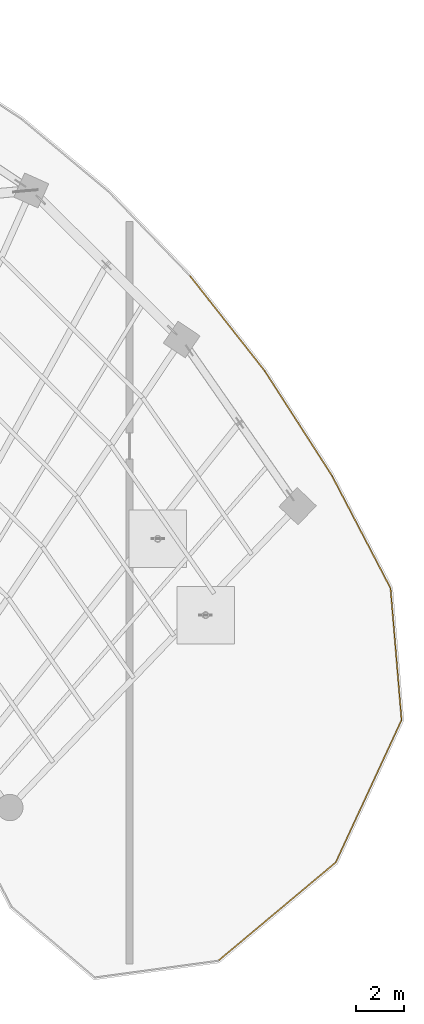
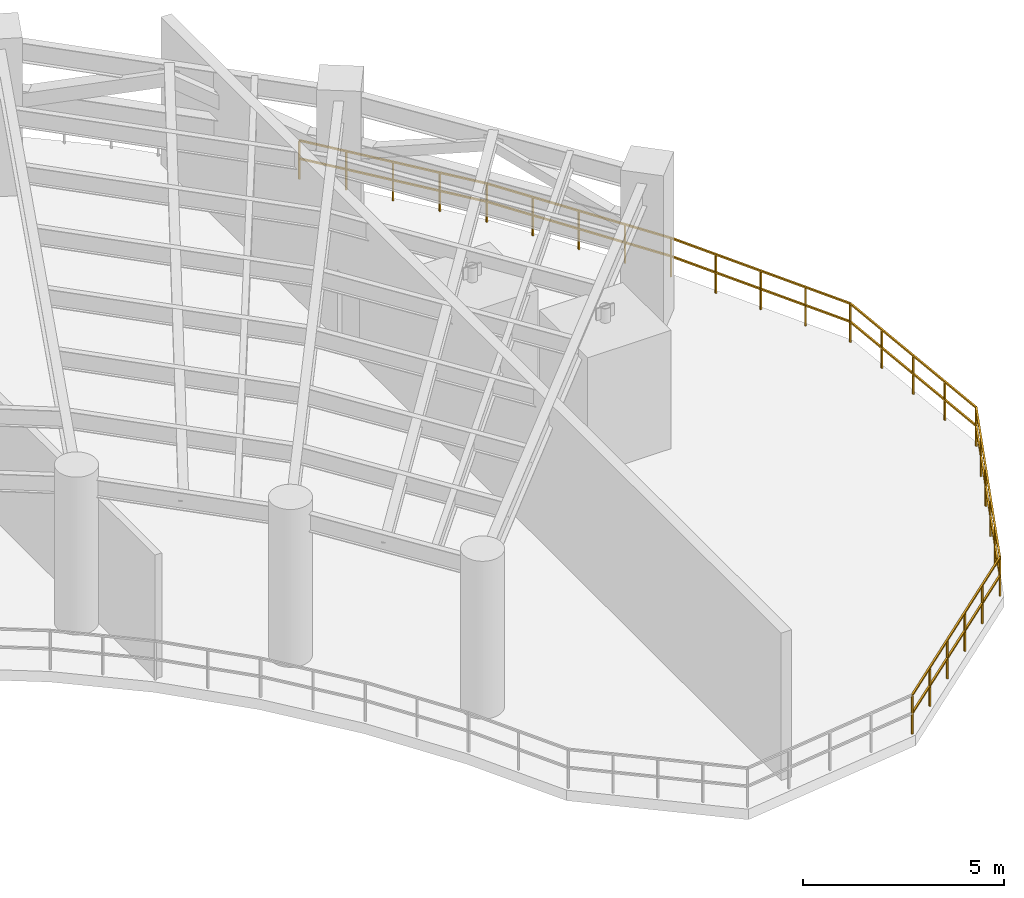
# One storey, part 23 of 24: 6 railings.
"""IFC4 building model written with IfcOpenShell, lengths in metres."""

from ifc_helpers import new_model, si_unit, direction, frame, origin, origin_2d, place, context, subcontext, project, spatial, rectangle, extrude, material, type_object, element, save


model = new_model("IFC4")

# Units and contexts
model_context = context("Model", 3, precision=1e-05, world=origin(), true_north=direction((0.0, 1.0)))
body_context = subcontext(model_context, "Body", "Model", "MODEL_VIEW")
ifc_project = project(units=[si_unit("LENGTHUNIT", "METRE"), si_unit("AREAUNIT", "SQUARE_METRE"), si_unit("VOLUMEUNIT", "CUBIC_METRE"), si_unit("PLANEANGLEUNIT", "RADIAN"), si_unit("MASSUNIT", "GRAM", prefix="KILO")], contexts=[model_context])

# Site, building, storey
site_placement = place(None, origin())
site = spatial("IfcSite", under=ifc_project, at=site_placement, CompositionType="ELEMENT")
building_placement = place(site_placement, origin())
building = spatial("IfcBuilding", under=site, at=building_placement, Name="Breltana Convention Tower", CompositionType="ELEMENT")
storey_placement = place(building_placement, frame((0.0, 0.0, 189.60009765625)))
storey = spatial("IfcBuildingStorey", under=building, at=storey_placement, Name="L46", CompositionType="ELEMENT", Elevation=189.60009765625)

# Railings
ifc_material = material(Name="Stainless Steel 316L", Category="steel")
railing_type = type_object("IfcRailingType", Name="RL-WIND-GUARD-1200", PredefinedType="BALUSTRADE", material=ifc_material)
railing_1_placement = place(storey_placement, frame((83.859130859375, 52.07958984375, 0.0)))
element("IfcRailing", 1, at=railing_1_placement, inside=storey, type_object=railing_type, Name="L46 perimeter balustrade 1", PredefinedType="BALUSTRADE", context=body_context, shape_type="SweptSolid", body=[
    extrude(rectangle(XDim=0.048095703125, YDim=0.048095703125, at=origin_2d()), frame((0.0, 0.0, 1.17578125), z_axis=(0.08330244177, -0.996524311392, 0.0), x_axis=(0.996524311392, 0.08330244177, 0.0)), (0.0, 0.0, 1.0), 5.50390625),
    extrude(rectangle(XDim=0.048095703125, YDim=0.048095703125, at=origin_2d()), frame((0.0, 0.0, 0.6240234375), z_axis=(0.08330244177, -0.996524311392, 0.0), x_axis=(0.996524311392, 0.08330244177, 0.0)), (0.0, 0.0, 1.0), 5.50390625),
    extrude(rectangle(XDim=0.0419921875, YDim=0.0419921875, at=origin_2d()), origin(), (0.0, 0.0, 1.0), 1.15185546875),
    extrude(rectangle(XDim=0.0419921875, YDim=0.0419921875, at=origin_2d()), frame((0.11474609375, -1.37109375, 0.0)), (0.0, 0.0, 1.0), 1.15185546875),
    extrude(rectangle(XDim=0.0419921875, YDim=0.0419921875, at=origin_2d()), frame((0.229248046875, -2.742431640625, 0.0)), (0.0, 0.0, 1.0), 1.15185546875),
    extrude(rectangle(XDim=0.0419921875, YDim=0.0419921875, at=origin_2d()), frame((0.34375, -4.11376953125, 0.0)), (0.0, 0.0, 1.0), 1.15185546875),
    extrude(rectangle(XDim=0.0419921875, YDim=0.0419921875, at=origin_2d()), frame((0.45849609375, -5.48486328125, 0.0)), (0.0, 0.0, 1.0), 1.15185546875),
])
railing_2_placement = place(storey_placement, frame((84.317626953125, 46.5947265625, 0.0)))
element("IfcRailing", 2, at=railing_2_placement, inside=storey, type_object=railing_type, Name="L46 perimeter balustrade 2", PredefinedType="BALUSTRADE", context=body_context, shape_type="SweptSolid", body=[
    extrude(rectangle(XDim=0.048095703125, YDim=0.048095703125, at=origin_2d()), frame((0.0, 0.0, 1.17578125), z_axis=(-0.419620331812, -0.907699717489, 0.0), x_axis=(0.907699717489, -0.419620331812, 0.0)), (0.0, 0.0, 1.0), 6.526123046875),
    extrude(rectangle(XDim=0.048095703125, YDim=0.048095703125, at=origin_2d()), frame((0.0, 0.0, 0.6240234375), z_axis=(-0.419620331812, -0.907699717489, 0.0), x_axis=(0.907699717489, -0.419620331812, 0.0)), (0.0, 0.0, 1.0), 6.526123046875),
    extrude(rectangle(XDim=0.0419921875, YDim=0.0419921875, at=origin_2d()), origin(), (0.0, 0.0, 1.0), 1.15185546875),
    extrude(rectangle(XDim=0.0419921875, YDim=0.0419921875, at=origin_2d()), frame((-0.547607421875, -1.184814453125, 0.0)), (0.0, 0.0, 1.0), 1.15185546875),
    extrude(rectangle(XDim=0.0419921875, YDim=0.0419921875, at=origin_2d()), frame((-1.095458984375, -2.36962890625, 0.0)), (0.0, 0.0, 1.0), 1.15185546875),
    extrude(rectangle(XDim=0.0419921875, YDim=0.0419921875, at=origin_2d()), frame((-1.64306640625, -3.55419921875, 0.0)), (0.0, 0.0, 1.0), 1.15185546875),
    extrude(rectangle(XDim=0.0419921875, YDim=0.0419921875, at=origin_2d()), frame((-2.19091796875, -4.739013671875, 0.0)), (0.0, 0.0, 1.0), 1.15185546875),
    extrude(rectangle(XDim=0.0419921875, YDim=0.0419921875, at=origin_2d()), frame((-2.738525390625, -5.923828125, 0.0)), (0.0, 0.0, 1.0), 1.15185546875),
])
railing_3_placement = place(storey_placement, frame((81.5791015625, 40.6708984375, 0.0)))
element("IfcRailing", 3, at=railing_3_placement, inside=storey, type_object=railing_type, Name="L46 perimeter balustrade 3", PredefinedType="BALUSTRADE", context=body_context, shape_type="SweptSolid", body=[
    extrude(rectangle(XDim=0.048095703125, YDim=0.048095703125, at=origin_2d()), frame((0.0, 0.0, 1.17578125), z_axis=(-0.766721722437, -0.641979594959, 0.0), x_axis=(0.641979594959, -0.766721722437, 0.0)), (0.0, 0.0, 1.0), 6.37451171875),
    extrude(rectangle(XDim=0.048095703125, YDim=0.048095703125, at=origin_2d()), frame((0.0, 0.0, 0.6240234375), z_axis=(-0.766721722437, -0.641979594959, 0.0), x_axis=(0.641979594959, -0.766721722437, 0.0)), (0.0, 0.0, 1.0), 6.37451171875),
    extrude(rectangle(XDim=0.0419921875, YDim=0.0419921875, at=origin_2d()), origin(), (0.0, 0.0, 1.0), 1.15185546875),
    extrude(rectangle(XDim=0.0419921875, YDim=0.0419921875, at=origin_2d()), frame((-0.9775390625, -0.818359375, 0.0)), (0.0, 0.0, 1.0), 1.15185546875),
    extrude(rectangle(XDim=0.0419921875, YDim=0.0419921875, at=origin_2d()), frame((-1.955078125, -1.636962890625, 0.0)), (0.0, 0.0, 1.0), 1.15185546875),
    extrude(rectangle(XDim=0.0419921875, YDim=0.0419921875, at=origin_2d()), frame((-2.932373046875, -2.455322265625, 0.0)), (0.0, 0.0, 1.0), 1.15185546875),
    extrude(rectangle(XDim=0.0419921875, YDim=0.0419921875, at=origin_2d()), frame((-3.909912109375, -3.27392578125, 0.0)), (0.0, 0.0, 1.0), 1.15185546875),
    extrude(rectangle(XDim=0.0419921875, YDim=0.0419921875, at=origin_2d()), frame((-4.887451171875, -4.09228515625, 0.0)), (0.0, 0.0, 1.0), 1.15185546875),
])
railing_4_placement = place(storey_placement, frame((75.517333984375, 65.072998046875, 0.0)))
element("IfcRailing", 4, at=railing_4_placement, inside=storey, type_object=railing_type, Name="L46 perimeter balustrade 67", PredefinedType="BALUSTRADE", context=body_context, shape_type="SweptSolid", body=[
    extrude(rectangle(XDim=0.048095703125, YDim=0.048095703125, at=origin_2d()), frame((0.0, 0.0, 1.17578125), z_axis=(0.618143380073, -0.786065367302, 0.0), x_axis=(0.786065367302, 0.618143380073, 0.0)), (0.0, 0.0, 1.0), 5.024658203125),
    extrude(rectangle(XDim=0.048095703125, YDim=0.048095703125, at=origin_2d()), frame((0.0, 0.0, 0.6240234375), z_axis=(0.618143380073, -0.786065367302, 0.0), x_axis=(0.786065367302, 0.618143380073, 0.0)), (0.0, 0.0, 1.0), 5.024658203125),
    extrude(rectangle(XDim=0.0419921875, YDim=0.0419921875, at=origin_2d()), origin(), (0.0, 0.0, 1.0), 1.15185546875),
    extrude(rectangle(XDim=0.0419921875, YDim=0.0419921875, at=origin_2d()), frame((0.7763671875, -0.9873046875, 0.0)), (0.0, 0.0, 1.0), 1.15185546875),
    extrude(rectangle(XDim=0.0419921875, YDim=0.0419921875, at=origin_2d()), frame((1.552978515625, -1.974853515625, 0.0)), (0.0, 0.0, 1.0), 1.15185546875),
    extrude(rectangle(XDim=0.0419921875, YDim=0.0419921875, at=origin_2d()), frame((2.32958984375, -2.96240234375, 0.0)), (0.0, 0.0, 1.0), 1.15185546875),
    extrude(rectangle(XDim=0.0419921875, YDim=0.0419921875, at=origin_2d()), frame((3.10595703125, -3.94970703125, 0.0)), (0.0, 0.0, 1.0), 1.15185546875),
])
railing_5_placement = place(storey_placement, frame((78.623291015625, 61.123291015625, 0.0)))
element("IfcRailing", 5, at=railing_5_placement, inside=storey, type_object=railing_type, Name="L46 perimeter balustrade 68", PredefinedType="BALUSTRADE", context=body_context, shape_type="SweptSolid", body=[
    extrude(rectangle(XDim=0.048095703125, YDim=0.048095703125, at=origin_2d()), frame((0.0, 0.0, 1.17578125), z_axis=(0.540198963589, -0.841537331161, 0.0), x_axis=(0.841537331161, 0.540198963589, 0.0)), (0.0, 0.0, 1.0), 5.169921875),
    extrude(rectangle(XDim=0.048095703125, YDim=0.048095703125, at=origin_2d()), frame((0.0, 0.0, 0.6240234375), z_axis=(0.540198963589, -0.841537331161, 0.0), x_axis=(0.841537331161, 0.540198963589, 0.0)), (0.0, 0.0, 1.0), 5.169921875),
    extrude(rectangle(XDim=0.0419921875, YDim=0.0419921875, at=origin_2d()), origin(), (0.0, 0.0, 1.0), 1.15185546875),
    extrude(rectangle(XDim=0.0419921875, YDim=0.0419921875, at=origin_2d()), frame((0.6982421875, -1.087646484375, 0.0)), (0.0, 0.0, 1.0), 1.15185546875),
    extrude(rectangle(XDim=0.0419921875, YDim=0.0419921875, at=origin_2d()), frame((1.396484375, -2.17529296875, 0.0)), (0.0, 0.0, 1.0), 1.15185546875),
    extrude(rectangle(XDim=0.0419921875, YDim=0.0419921875, at=origin_2d()), frame((2.094482421875, -3.262939453125, 0.0)), (0.0, 0.0, 1.0), 1.15185546875),
    extrude(rectangle(XDim=0.0419921875, YDim=0.0419921875, at=origin_2d()), frame((2.792724609375, -4.3505859375, 0.0)), (0.0, 0.0, 1.0), 1.15185546875),
])
railing_6_placement = place(storey_placement, frame((81.416015625, 56.772705078125, 0.0)))
element("IfcRailing", 6, at=railing_6_placement, inside=storey, type_object=railing_type, Name="L46 perimeter balustrade 69", PredefinedType="BALUSTRADE", context=body_context, shape_type="SweptSolid", body=[
    extrude(rectangle(XDim=0.048095703125, YDim=0.048095703125, at=origin_2d()), frame((0.0, 0.0, 1.17578125), z_axis=(0.461753680918, -0.887008195091, 0.0), x_axis=(0.887008195091, 0.461753680918, 0.0)), (0.0, 0.0, 1.0), 5.291015625),
    extrude(rectangle(XDim=0.048095703125, YDim=0.048095703125, at=origin_2d()), frame((0.0, 0.0, 0.6240234375), z_axis=(0.461753680918, -0.887008195091, 0.0), x_axis=(0.887008195091, 0.461753680918, 0.0)), (0.0, 0.0, 1.0), 5.291015625),
    extrude(rectangle(XDim=0.0419921875, YDim=0.0419921875, at=origin_2d()), origin(), (0.0, 0.0, 1.0), 1.15185546875),
    extrude(rectangle(XDim=0.0419921875, YDim=0.0419921875, at=origin_2d()), frame((0.61083984375, -1.17333984375, 0.0)), (0.0, 0.0, 1.0), 1.15185546875),
    extrude(rectangle(XDim=0.0419921875, YDim=0.0419921875, at=origin_2d()), frame((1.2216796875, -2.3466796875, 0.0)), (0.0, 0.0, 1.0), 1.15185546875),
    extrude(rectangle(XDim=0.0419921875, YDim=0.0419921875, at=origin_2d()), frame((1.832275390625, -3.519775390625, 0.0)), (0.0, 0.0, 1.0), 1.15185546875),
    extrude(rectangle(XDim=0.0419921875, YDim=0.0419921875, at=origin_2d()), frame((2.443115234375, -4.693115234375, 0.0)), (0.0, 0.0, 1.0), 1.15185546875),
])

save(model, "model.ifc")
